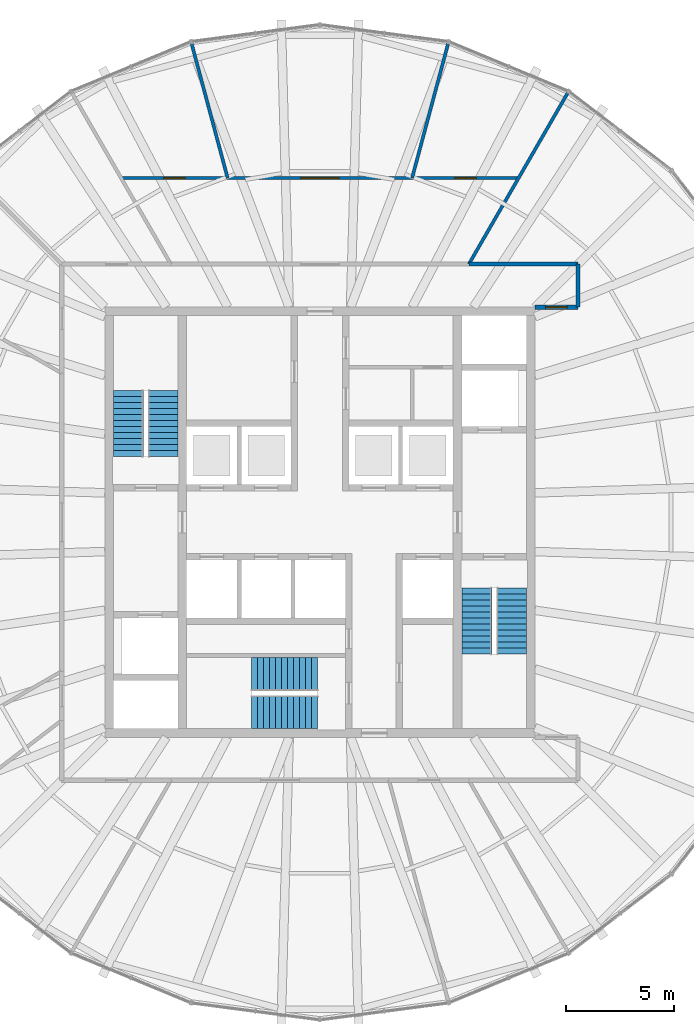
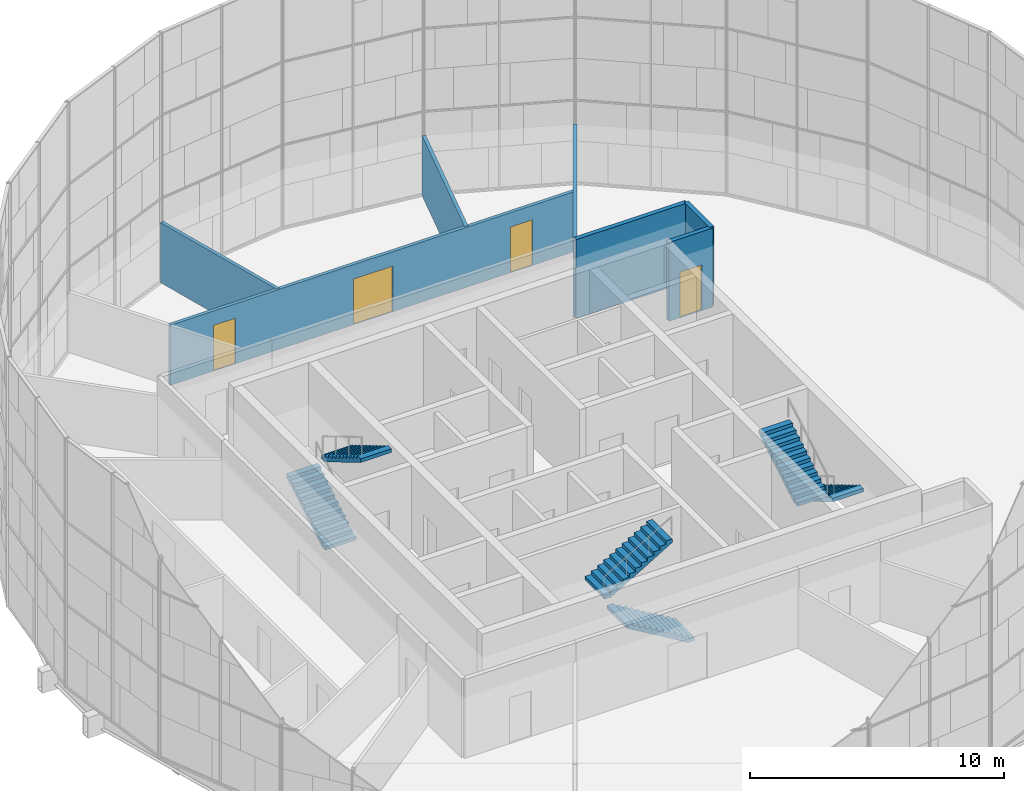
# One storey, part 21 of 23: 7 walls, 6 stair flights, 4 doors, 4 openings, 3 elements without a shape of their own.
"""IFC4 building model written with IfcOpenShell, lengths in metres."""

from ifc_helpers import new_model, si_unit, direction, frame, frame_2d, origin, place, context, subcontext, project, spatial, polyline, rectangle, outline, extrude, material, layer, layer_set, type_object, element, fill, aggregate, save


model = new_model("IFC4")

# Units and contexts
model_context = context("Model", 3, precision=1e-05, world=origin(), true_north=direction((0.0, 1.0)))
body_context = subcontext(model_context, "Body", "Model", "MODEL_VIEW")
ifc_project = project(units=[si_unit("LENGTHUNIT", "METRE"), si_unit("AREAUNIT", "SQUARE_METRE"), si_unit("VOLUMEUNIT", "CUBIC_METRE"), si_unit("PLANEANGLEUNIT", "RADIAN"), si_unit("MASSUNIT", "GRAM", prefix="KILO")], contexts=[model_context])

# Site, building, storey
site_placement = place(None, origin())
site = spatial("IfcSite", under=ifc_project, at=site_placement, CompositionType="ELEMENT")
building_placement = place(site_placement, origin())
building = spatial("IfcBuilding", under=site, at=building_placement, Name="Golbaran Civic Tower", CompositionType="ELEMENT")
storey_placement = place(building_placement, frame((0.0, 0.0, 220.0)))
storey = spatial("IfcBuildingStorey", under=building, at=storey_placement, Name="L53", CompositionType="ELEMENT", Elevation=220.0)

# Walls
ifc_material_1 = material(Name="Gypsum board on steel studs, fire-rated", Category="steel")
ifc_layer_1 = layer(ifc_material_1, 0.199951171875, Name="Gypsum board on steel studs, fire-rated")
ifc_layer_set_1 = layer_set([ifc_layer_1], Name="Gypsum board on steel studs, fire-rated")
wall_type_1 = type_object("IfcWallType", Name="CORRIDOR WALL 200", PredefinedType="PARTITIONING", material=ifc_layer_set_1)
wall_1_placement = place(storey_placement, frame((12.0, 10.0, 0.0), z_axis=(0.0, 0.0, 1.0), x_axis=(0.0, 1.0, 0.0)))
element("IfcWall", 1, at=wall_1_placement, inside=storey, type_object=wall_type_1, Name="Corridor wall L53", PredefinedType="PARTITIONING", context=body_context, shape_type="SweptSolid", body=[
    extrude(rectangle(XDim=2.0, YDim=0.199951171875, at=frame_2d((1.0, 0.0))), origin(), (0.0, 0.0, 1.0), 3.800048828125),
])
wall_2_placement = place(storey_placement, frame((12.0, 12.0, 0.0), z_axis=(0.0, 0.0, 1.0), x_axis=(-1.0, 0.0, 0.0)))
element("IfcWall", 2, at=wall_2_placement, inside=storey, type_object=wall_type_1, Name="Corridor wall L53", PredefinedType="PARTITIONING", context=body_context, shape_type="SweptSolid", body=[
    extrude(rectangle(XDim=5.07177734375, YDim=0.199951171875, at=frame_2d((2.535888671875, 0.0))), origin(), (0.0, 0.0, 1.0), 3.800048828125),
])

# Wall, opening, door
wall_3_placement = place(storey_placement, frame((10.0, 10.0, 0.0), z_axis=(0.0, 0.0, 1.0), x_axis=(1.0, 0.0, 0.0)))
wall_3 = element("IfcWall", 3, at=wall_3_placement, inside=storey, type_object=wall_type_1, Name="Corridor end wall L53", PredefinedType="PARTITIONING", context=body_context, shape_type="SweptSolid", body=[
    extrude(rectangle(XDim=2.0, YDim=0.199951171875, at=frame_2d((1.0, 0.0))), origin(), (0.0, 0.0, 1.0), 3.800048828125),
])
opening_1_placement = place(wall_3_placement, frame((0.5, 0.0, 0.0)))
opening_1 = element("IfcOpeningElement", 4, at=opening_1_placement, cuts=wall_3, Name="Opening L53.15", PredefinedType="OPENING", context=body_context, shape_type="SweptSolid", body=[
    extrude(rectangle(XDim=1.0, YDim=2.199951171875, at=frame_2d((0.5, 1.10009765625))), frame((0.0, 0.10986328125, 0.0), z_axis=(0.0, -1.0, 0.0), x_axis=(1.0, 0.0, 0.0)), (0.0, 0.0, 1.0), 0.219970703125),
])
ifc_material_2 = material(Name="Timber door set in steel frame", Category="steel")
door_type_1 = type_object("IfcDoorType", Name="OFFICE DOOR 1000x2200", OperationType="SINGLE_SWING_LEFT", PredefinedType="DOOR", material=ifc_material_2)
door_1_placement = place(opening_1_placement, origin())
door_1 = element("IfcDoor", 5, at=door_1_placement, inside=storey, type_object=door_type_1, Name="Open Office door L53", OperationType="SINGLE_SWING_LEFT", OverallHeight=2.199951171875, OverallWidth=1.0, PredefinedType="DOOR", context=body_context, shape_type="SweptSolid", body=[
    extrude(rectangle(XDim=1.0, YDim=2.199951171875, at=frame_2d((0.5, 1.10009765625))), frame((0.0, 0.02490234375, 0.0), z_axis=(0.0, -1.0, 0.0), x_axis=(1.0, 0.0, 0.0)), (0.0, 0.0, 1.0), 0.050048828125),
])
fill(opening_1, door_1)

# Wall
ifc_material_3 = material(Name="Gypsum board on steel studs", Category="steel")
ifc_layer_2 = layer(ifc_material_3, 0.14990234375, Name="Gypsum board on steel studs")
ifc_layer_set_2 = layer_set([ifc_layer_2], Name="Gypsum board on steel studs")
wall_type_2 = type_object("IfcWallType", Name="OFFICE PARTITION 150", PredefinedType="PARTITIONING", material=ifc_layer_set_2)
wall_4_placement = place(storey_placement, frame((6.92822265625, 12.0, 0.0), z_axis=(0.0, 0.0, 1.0), x_axis=(0.500006167237, 0.866021843099, 0.0)))
element("IfcWall", 6, at=wall_4_placement, inside=storey, type_object=wall_type_2, Name="Partition 60 L53", PredefinedType="PARTITIONING", context=body_context, shape_type="SweptSolid", body=[
    extrude(rectangle(XDim=9.18701171875, YDim=0.14990234375, at=frame_2d((4.593505859375, 0.0))), origin(), (0.0, 0.0, 1.0), 2.889892578125),
])

# Wall, openings, doors
wall_5_placement = place(storey_placement, frame((9.237548828125, 16.0, 0.0), z_axis=(0.0, 0.0, 1.0), x_axis=(-1.0, 0.0, 0.0)))
wall_5 = element("IfcWall", 7, at=wall_5_placement, inside=storey, type_object=wall_type_2, Name="Suite partition L53", PredefinedType="PARTITIONING", context=body_context, shape_type="SweptSolid", body=[
    extrude(rectangle(XDim=18.47509765625, YDim=0.14990234375, at=frame_2d((9.237548828125, 0.0))), origin(), (0.0, 0.0, 1.0), 2.889892578125),
])
opening_2_placement = place(wall_5_placement, frame((1.97509765625, 0.0, 0.0)))
opening_2 = element("IfcOpeningElement", 8, at=opening_2_placement, cuts=wall_5, Name="Opening L53.01", PredefinedType="OPENING", context=body_context, shape_type="SweptSolid", body=[
    extrude(rectangle(XDim=1.0, YDim=2.199951171875, at=frame_2d((0.5, 1.10009765625))), frame((0.0, 0.0849609375, 0.0), z_axis=(0.0, -1.0, 0.0), x_axis=(1.0, 0.0, 0.0)), (0.0, 0.0, 1.0), 0.169921875),
])
opening_3_placement = place(wall_5_placement, frame((8.337646484375, 0.0, 0.0)))
opening_3 = element("IfcOpeningElement", 9, at=opening_3_placement, cuts=wall_5, Name="Opening L53.02", PredefinedType="OPENING", context=body_context, shape_type="SweptSolid", body=[
    extrude(rectangle(XDim=1.800048828125, YDim=2.199951171875, at=frame_2d((0.89990234375, 1.10009765625))), frame((0.0, 0.0849609375, 0.0), z_axis=(0.0, -1.0, 0.0), x_axis=(1.0, 0.0, 0.0)), (0.0, 0.0, 1.0), 0.169921875),
])
opening_4_placement = place(wall_5_placement, frame((15.5, 0.0, 0.0)))
opening_4 = element("IfcOpeningElement", 10, at=opening_4_placement, cuts=wall_5, Name="Opening L53.03", PredefinedType="OPENING", context=body_context, shape_type="SweptSolid", body=[
    extrude(rectangle(XDim=1.0, YDim=2.199951171875, at=frame_2d((0.5, 1.10009765625))), frame((0.0, 0.0849609375, 0.0), z_axis=(0.0, -1.0, 0.0), x_axis=(1.0, 0.0, 0.0)), (0.0, 0.0, 1.0), 0.169921875),
])
door_2_placement = place(opening_2_placement, origin())
door_2 = element("IfcDoor", 11, at=door_2_placement, inside=storey, type_object=door_type_1, Name="Deputy Minister's Office door L53", OperationType="SINGLE_SWING_LEFT", OverallHeight=2.199951171875, OverallWidth=1.0, PredefinedType="DOOR", context=body_context, shape_type="SweptSolid", body=[
    extrude(rectangle(XDim=1.0, YDim=2.199951171875, at=frame_2d((0.5, 1.10009765625))), frame((0.0, 0.02490234375, 0.0), z_axis=(0.0, -1.0, 0.0), x_axis=(1.0, 0.0, 0.0)), (0.0, 0.0, 1.0), 0.050048828125),
])
fill(opening_2, door_2)
door_3_placement = place(opening_4_placement, origin())
door_3 = element("IfcDoor", 12, at=door_3_placement, inside=storey, type_object=door_type_1, Name="Assistants' Office door L53", OperationType="SINGLE_SWING_RIGHT", OverallHeight=2.199951171875, OverallWidth=1.0, PredefinedType="DOOR", context=body_context, shape_type="SweptSolid", body=[
    extrude(rectangle(XDim=1.0, YDim=2.199951171875, at=frame_2d((0.5, 1.10009765625))), frame((0.0, 0.02490234375, 0.0), z_axis=(0.0, -1.0, 0.0), x_axis=(1.0, 0.0, 0.0)), (0.0, 0.0, 1.0), 0.050048828125),
])
fill(opening_4, door_3)
door_type_2 = type_object("IfcDoorType", Name="OFFICE DOUBLE DOOR 1800x2200", OperationType="DOUBLE_DOOR_SINGLE_SWING", PredefinedType="DOOR", material=ifc_material_2)
door_4_placement = place(opening_3_placement, origin())
door_4 = element("IfcDoor", 13, at=door_4_placement, inside=storey, type_object=door_type_2, Name="Assistants' Office door L53", OperationType="DOUBLE_DOOR_SINGLE_SWING", OverallHeight=2.199951171875, OverallWidth=1.800048828125, PredefinedType="DOOR", context=body_context, shape_type="SweptSolid", body=[
    extrude(rectangle(XDim=1.800048828125, YDim=2.199951171875, at=frame_2d((0.89990234375, 1.10009765625))), frame((0.0, 0.02490234375, 0.0), z_axis=(0.0, -1.0, 0.0), x_axis=(1.0, 0.0, 0.0)), (0.0, 0.0, 1.0), 0.050048828125),
])
fill(opening_3, door_4)

# Walls
for number, where, z_axis, x_axis, name in (
    (14, (4.287109375, 16.0, 0.0), (0.0, 0.0, 1.0), (0.258842191576, 0.965919623913, 0.0), "Partition 75 L53"),
    (15, (-4.287109375, 16.0, 0.0), (0.0, 0.0, 1.0), (-0.258842191576, 0.965919623913, 0.0), "Partition 105 L53"),
):
    element("IfcWall", number, at=place(storey_placement, frame(where, z_axis=z_axis, x_axis=x_axis)), inside=storey, type_object=wall_type_2, Name=name, PredefinedType="PARTITIONING", context=body_context, shape_type="SweptSolid", body=[
        extrude(rectangle(XDim=6.478759765625, YDim=0.14990234375, at=frame_2d((3.2392578125, 0.0))), origin(), (0.0, 0.0, 1.0), 2.889892578125),
    ])

# Stair, stair flights
ifc_material_4 = material(Name="Concrete C35/45", Category="concrete")
stair_type_1 = type_object("IfcStairType", Name="EXIT STAIR 3000 x 7850, 4000 RISE", PredefinedType="HALF_TURN_STAIR", material=ifc_material_4)
stair_1_placement = place(storey_placement, origin())
stair_1 = element("IfcStair", 16, at=stair_1_placement, inside=storey, type_object=stair_type_1, Name="Stair S1 L53", PredefinedType="HALF_TURN_STAIR")
stair_flight_type_1 = type_object("IfcStairFlightType", Name="STAIR FLIGHT 1400 WIDE", PredefinedType="STRAIGHT", material=ifc_material_4)
stair_flight_1_placement = place(storey_placement, frame((-8.89990234375, 3.050048828125, 0.0), z_axis=(0.0, 0.0, 1.0), x_axis=(0.0, 1.0, 0.0)))
stair_flight_1 = element("IfcStairFlight", 17, at=stair_flight_1_placement, type_object=stair_flight_type_1, Name="ST30078-40 flight 1", NumberOfRisers=12, NumberOfTreads=11, PredefinedType="STRAIGHT", RiserHeight=0.166666667, TreadLength=0.28, context=body_context, shape_type="SweptSolid", body=[
    extrude(outline(polyline([(0.0, 0.0), (0.0, 0.166748046875), (0.280029296875, 0.166748046875), (0.280029296875, 0.333251953125), (0.56005859375, 0.333251953125), (0.56005859375, 0.5), (0.840087890625, 0.5), (0.840087890625, 0.666748046875), (1.1201171875, 0.666748046875), (1.1201171875, 0.833251953125), (1.39990234375, 0.833251953125), (1.39990234375, 1.0), (1.679931640625, 1.0), (1.679931640625, 1.166748046875), (1.9599609375, 1.166748046875), (1.9599609375, 1.333251953125), (2.239990234375, 1.333251953125), (2.239990234375, 1.5), (2.52001953125, 1.5), (2.52001953125, 1.666748046875), (2.800048828125, 1.666748046875), (2.800048828125, 1.833251953125), (3.080078125, 1.833251953125), (3.080078125, 2.0), (3.080078125, 1.658935546875), (0.29296875, 0.0), (0.0, 0.0)])), frame((0.0, 0.699951171875, 0.0), z_axis=(0.0, -1.0, 0.0), x_axis=(1.0, 0.0, 0.0)), (0.0, 0.0, 1.0), 1.39990234375),
])
stair_flight_2_placement = place(storey_placement, frame((-7.300048828125, 6.1298828125, 2.0), z_axis=(0.0, 0.0, 1.0), x_axis=(0.0, -1.0, 0.0)))
stair_flight_2 = element("IfcStairFlight", 18, at=stair_flight_2_placement, type_object=stair_flight_type_1, Name="ST30078-40 flight 2", NumberOfRisers=12, NumberOfTreads=11, PredefinedType="STRAIGHT", RiserHeight=0.166666667, TreadLength=0.28, context=body_context, shape_type="SweptSolid", body=[
    extrude(outline(polyline([(0.0, 0.0), (0.0, 0.166748046875), (0.280029296875, 0.166748046875), (0.280029296875, 0.333251953125), (0.56005859375, 0.333251953125), (0.56005859375, 0.5), (0.840087890625, 0.5), (0.840087890625, 0.666748046875), (1.1201171875, 0.666748046875), (1.1201171875, 0.833251953125), (1.39990234375, 0.833251953125), (1.39990234375, 1.0), (1.679931640625, 1.0), (1.679931640625, 1.166748046875), (1.9599609375, 1.166748046875), (1.9599609375, 1.333251953125), (2.239990234375, 1.333251953125), (2.239990234375, 1.5), (2.52001953125, 1.5), (2.52001953125, 1.666748046875), (2.800048828125, 1.666748046875), (2.800048828125, 1.833251953125), (3.080078125, 1.833251953125), (3.080078125, 2.0), (3.080078125, 1.658935546875), (0.29296875, 0.0), (0.0, 0.0)])), frame((0.0, 0.699951171875, 0.0), z_axis=(0.0, -1.0, 0.0), x_axis=(1.0, 0.0, 0.0)), (0.0, 0.0, 1.0), 1.39990234375),
])
aggregate(stair_1, [stair_flight_1, stair_flight_2])

stair_2_placement = place(storey_placement, origin())
stair_2 = element("IfcStair", 19, at=stair_2_placement, inside=storey, type_object=stair_type_1, Name="Stair S2 L53", PredefinedType="HALF_TURN_STAIR")
stair_flight_3_placement = place(storey_placement, frame((8.89990234375, -3.050048828125, 0.0), z_axis=(0.0, 0.0, 1.0), x_axis=(0.0, -1.0, 0.0)))
stair_flight_3 = element("IfcStairFlight", 20, at=stair_flight_3_placement, type_object=stair_flight_type_1, Name="ST30078-40 flight 1", NumberOfRisers=12, NumberOfTreads=11, PredefinedType="STRAIGHT", RiserHeight=0.166666667, TreadLength=0.28, context=body_context, shape_type="SweptSolid", body=[
    extrude(outline(polyline([(0.0, 0.0), (0.0, 0.166748046875), (0.280029296875, 0.166748046875), (0.280029296875, 0.333251953125), (0.56005859375, 0.333251953125), (0.56005859375, 0.5), (0.840087890625, 0.5), (0.840087890625, 0.666748046875), (1.1201171875, 0.666748046875), (1.1201171875, 0.833251953125), (1.39990234375, 0.833251953125), (1.39990234375, 1.0), (1.679931640625, 1.0), (1.679931640625, 1.166748046875), (1.9599609375, 1.166748046875), (1.9599609375, 1.333251953125), (2.239990234375, 1.333251953125), (2.239990234375, 1.5), (2.52001953125, 1.5), (2.52001953125, 1.666748046875), (2.800048828125, 1.666748046875), (2.800048828125, 1.833251953125), (3.080078125, 1.833251953125), (3.080078125, 2.0), (3.080078125, 1.658935546875), (0.29296875, 0.0), (0.0, 0.0)])), frame((0.0, 0.699951171875, 0.0), z_axis=(0.0, -1.0, 0.0), x_axis=(1.0, 0.0, 0.0)), (0.0, 0.0, 1.0), 1.39990234375),
])
stair_flight_4_placement = place(storey_placement, frame((7.300048828125, -6.1298828125, 2.0), z_axis=(0.0, 0.0, 1.0), x_axis=(0.0, 1.0, 0.0)))
stair_flight_4 = element("IfcStairFlight", 21, at=stair_flight_4_placement, type_object=stair_flight_type_1, Name="ST30078-40 flight 2", NumberOfRisers=12, NumberOfTreads=11, PredefinedType="STRAIGHT", RiserHeight=0.166666667, TreadLength=0.28, context=body_context, shape_type="SweptSolid", body=[
    extrude(outline(polyline([(0.0, 0.0), (0.0, 0.166748046875), (0.280029296875, 0.166748046875), (0.280029296875, 0.333251953125), (0.56005859375, 0.333251953125), (0.56005859375, 0.5), (0.840087890625, 0.5), (0.840087890625, 0.666748046875), (1.1201171875, 0.666748046875), (1.1201171875, 0.833251953125), (1.39990234375, 0.833251953125), (1.39990234375, 1.0), (1.679931640625, 1.0), (1.679931640625, 1.166748046875), (1.9599609375, 1.166748046875), (1.9599609375, 1.333251953125), (2.239990234375, 1.333251953125), (2.239990234375, 1.5), (2.52001953125, 1.5), (2.52001953125, 1.666748046875), (2.800048828125, 1.666748046875), (2.800048828125, 1.833251953125), (3.080078125, 1.833251953125), (3.080078125, 2.0), (3.080078125, 1.658935546875), (0.29296875, 0.0), (0.0, 0.0)])), frame((0.0, 0.699951171875, 0.0), z_axis=(0.0, -1.0, 0.0), x_axis=(1.0, 0.0, 0.0)), (0.0, 0.0, 1.0), 1.39990234375),
])
aggregate(stair_2, [stair_flight_3, stair_flight_4])

stair_type_2 = type_object("IfcStairType", Name="EXIT STAIR 3300 x 7400, 4000 RISE", PredefinedType="HALF_TURN_STAIR", material=ifc_material_4)
stair_3_placement = place(storey_placement, origin())
stair_3 = element("IfcStair", 22, at=stair_3_placement, inside=storey, type_object=stair_type_2, Name="Stair S3 L53", PredefinedType="HALF_TURN_STAIR")
stair_flight_type_2 = type_object("IfcStairFlightType", Name="STAIR FLIGHT 1550 WIDE", PredefinedType="STRAIGHT", material=ifc_material_4)
stair_flight_5_placement = place(storey_placement, frame((-0.10009765625, -8.824951171875, 0.0), z_axis=(0.0, 0.0, 1.0), x_axis=(-1.0, 0.0, 0.0)))
stair_flight_5 = element("IfcStairFlight", 23, at=stair_flight_5_placement, type_object=stair_flight_type_2, Name="ST33074-40 flight 1", NumberOfRisers=12, NumberOfTreads=11, PredefinedType="STRAIGHT", RiserHeight=0.166666667, TreadLength=0.28, context=body_context, shape_type="SweptSolid", body=[
    extrude(outline(polyline([(0.0, 0.0), (0.0, 0.166748046875), (0.280029296875, 0.166748046875), (0.280029296875, 0.333251953125), (0.56005859375, 0.333251953125), (0.56005859375, 0.5), (0.840087890625, 0.5), (0.840087890625, 0.666748046875), (1.1201171875, 0.666748046875), (1.1201171875, 0.833251953125), (1.39990234375, 0.833251953125), (1.39990234375, 1.0), (1.679931640625, 1.0), (1.679931640625, 1.166748046875), (1.9599609375, 1.166748046875), (1.9599609375, 1.333251953125), (2.239990234375, 1.333251953125), (2.239990234375, 1.5), (2.52001953125, 1.5), (2.52001953125, 1.666748046875), (2.800048828125, 1.666748046875), (2.800048828125, 1.833251953125), (3.080078125, 1.833251953125), (3.080078125, 2.0), (3.080078125, 1.658935546875), (0.29296875, 0.0), (0.0, 0.0)])), frame((0.0, 0.77490234375, 0.0), z_axis=(0.0, -1.0, 0.0), x_axis=(1.0, 0.0, 0.0)), (0.0, 0.0, 1.0), 1.550048828125),
])
stair_flight_6_placement = place(storey_placement, frame((-3.179931640625, -7.074951171875, 2.0), z_axis=(0.0, 0.0, 1.0), x_axis=(1.0, 0.0, 0.0)))
stair_flight_6 = element("IfcStairFlight", 24, at=stair_flight_6_placement, type_object=stair_flight_type_2, Name="ST33074-40 flight 2", NumberOfRisers=12, NumberOfTreads=11, PredefinedType="STRAIGHT", RiserHeight=0.166666667, TreadLength=0.28, context=body_context, shape_type="SweptSolid", body=[
    extrude(outline(polyline([(0.0, 0.0), (0.0, 0.166748046875), (0.280029296875, 0.166748046875), (0.280029296875, 0.333251953125), (0.56005859375, 0.333251953125), (0.56005859375, 0.5), (0.840087890625, 0.5), (0.840087890625, 0.666748046875), (1.1201171875, 0.666748046875), (1.1201171875, 0.833251953125), (1.39990234375, 0.833251953125), (1.39990234375, 1.0), (1.679931640625, 1.0), (1.679931640625, 1.166748046875), (1.9599609375, 1.166748046875), (1.9599609375, 1.333251953125), (2.239990234375, 1.333251953125), (2.239990234375, 1.5), (2.52001953125, 1.5), (2.52001953125, 1.666748046875), (2.800048828125, 1.666748046875), (2.800048828125, 1.833251953125), (3.080078125, 1.833251953125), (3.080078125, 2.0), (3.080078125, 1.658935546875), (0.29296875, 0.0), (0.0, 0.0)])), frame((0.0, 0.77490234375, 0.0), z_axis=(0.0, -1.0, 0.0), x_axis=(1.0, 0.0, 0.0)), (0.0, 0.0, 1.0), 1.550048828125),
])
aggregate(stair_3, [stair_flight_5, stair_flight_6])

save(model, "model.ifc")
